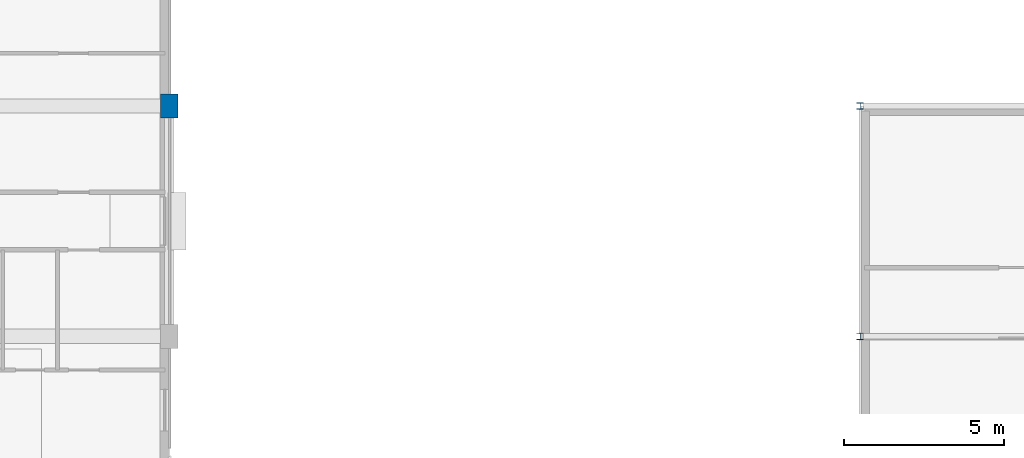
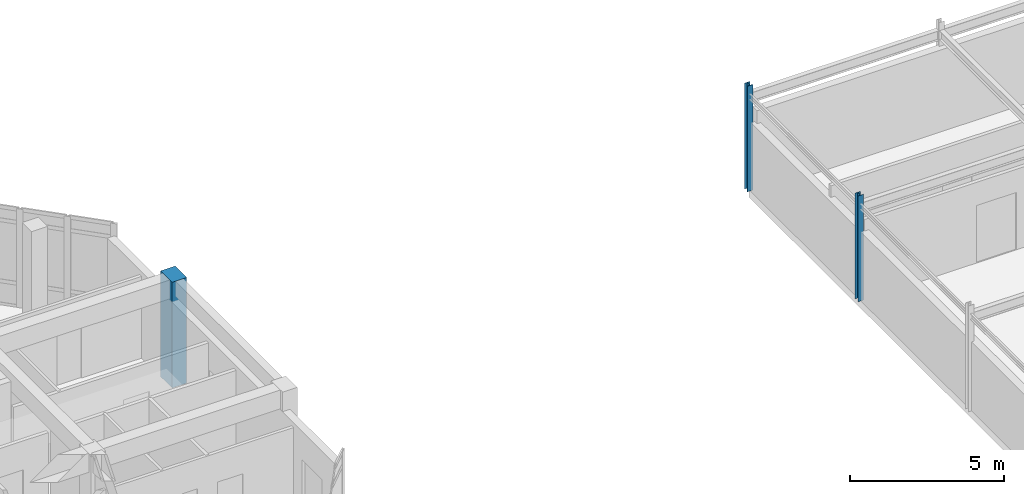
# One storey, part 3 of 85: 3 columns.
"""IFC4 building model written with IfcOpenShell, lengths in metres."""

import ifcopenshell
import ifcopenshell.guid

model = None  # the IFC model being written
_history = None  # IfcOwnerHistory: only IFC2X3 demands one
_inside = {}  # id of a spatial element -> (the spatial element, [elements in it])
_under = {}  # id of a project, library or spatial element -> (it, [spatial elements below it])
_declared = {}  # id of a project -> (the project, [libraries it declares])
_typed = {}  # id of a type object -> (the type object, [elements of that type])
_made_of = {}  # id of a material, layer set ... -> (it, [elements and type objects made of it])


def new_model(schema):
    """Start an empty IFC model of exactly this schema.

    Asked for "IFC4X3", IfcOpenShell would pick the latest addendum, in which some entities
    have other attributes; the version numbers below select the first issue.
    IFC2X3 requires an IfcOwnerHistory on every rooted entity: one is made here for all.
    """
    global model, _history
    if schema == "IFC4X3":
        model = ifcopenshell.file(schema_version=(4, 3, 0, 0))
    else:
        model = ifcopenshell.file(schema=schema)
    _inside.clear()
    _under.clear()
    _declared.clear()
    _typed.clear()
    _made_of.clear()
    _history = None
    if model.schema == "IFC2X3":
        org = make("IfcOrganization", Name="unknown")
        user = make(
            "IfcPersonAndOrganization",
            ThePerson=make("IfcPerson", FamilyName="unknown"),
            TheOrganization=org,
        )
        app = make(
            "IfcApplication",
            ApplicationDeveloper=org,
            Version="unknown",
            ApplicationFullName="unknown",
            ApplicationIdentifier="unknown",
        )
        _history = make(
            "IfcOwnerHistory",
            OwningUser=user,
            OwningApplication=app,
            ChangeAction="ADDED",
            CreationDate=0,
        )
    return model


def make(cls, **values):
    """One entity of the class cls with the attributes given. An attribute that is None is left unset."""
    return model.create_entity(
        cls, **{name: value for name, value in values.items() if value is not None}
    )


def rooted(cls, **values):
    """An entity with a GlobalId (a new one), such as an element, a storey or a relation."""
    return make(cls, GlobalId=ifcopenshell.guid.new(), OwnerHistory=_history, **values)


def si_unit(unit_type, name, prefix=None):
    """IfcSIUnit, for example si_unit("LENGTHUNIT", "METRE", prefix="MILLI")."""
    return make("IfcSIUnit", UnitType=unit_type, Prefix=prefix, Name=name)


def assignment(units):
    """IfcUnitAssignment: the units of a project."""
    return None if units is None else make("IfcUnitAssignment", Units=units)


def point(xyz):
    """IfcCartesianPoint."""
    return None if xyz is None else make("IfcCartesianPoint", Coordinates=xyz)


def direction(xyz):
    """IfcDirection."""
    return None if xyz is None else make("IfcDirection", DirectionRatios=xyz)


def frame(location, z_axis=None, x_axis=None):
    """IfcAxis2Placement3D, a coordinate frame: its origin and axes. An axis left out is left unset."""
    return make(
        "IfcAxis2Placement3D",
        Location=point(location),
        Axis=direction(z_axis),
        RefDirection=direction(x_axis),
    )


def frame_2d(location, x_axis=None):
    """IfcAxis2Placement2D, a coordinate frame in the plane: its origin and x axis."""
    return make(
        "IfcAxis2Placement2D", Location=point(location), RefDirection=direction(x_axis)
    )


def origin():
    """The frame at (0, 0, 0) with its axes left unset."""
    return frame((0.0, 0.0, 0.0))


def origin_2d():
    """The frame at (0, 0) in the plane with its x axis left unset."""
    return frame_2d((0.0, 0.0))


def place(relative_to, where):
    """IfcLocalPlacement: puts the frame where relative to a parent placement (None: the world)."""
    return make(
        "IfcLocalPlacement", PlacementRelTo=relative_to, RelativePlacement=where
    )


def context(
    kind, dimensions, precision=None, world=None, true_north=None, identifier=None
):
    """IfcGeometricRepresentationContext, for example the 3D "Model" context."""
    return make(
        "IfcGeometricRepresentationContext",
        ContextIdentifier=identifier,
        ContextType=kind,
        CoordinateSpaceDimension=dimensions,
        Precision=precision,
        WorldCoordinateSystem=world,
        TrueNorth=true_north,
    )


def subcontext(parent, identifier, kind, view, scale=None):
    """IfcGeometricRepresentationSubContext, for example "Body" below "Model"."""
    return make(
        "IfcGeometricRepresentationSubContext",
        ContextIdentifier=identifier,
        ContextType=kind,
        ParentContext=parent,
        TargetScale=scale,
        TargetView=view,
    )


def project(units=None, contexts=None):
    """IfcProject with its units and contexts."""
    return rooted(
        "IfcProject",
        Name="project",
        RepresentationContexts=contexts,
        UnitsInContext=assignment(units),
    )


def spatial(cls, under=None, at=None, **own):
    """A site, building, storey or space (cls), placed at a placement, below another one or the project."""
    s = rooted(cls, ObjectPlacement=at, **own)
    if under is not None:
        _under.setdefault(under.id(), (under, []))[1].append(s)
    return s


def profile(cls, at=None, kind="AREA", **sizes):
    """A parametric profile (cls). Its sizes go by their IFC names, for example OverallWidth=200.0."""
    return make(cls, ProfileType=kind, Position=at, **sizes)


def rectangle(**sizes):
    """IfcRectangleProfileDef."""
    return profile("IfcRectangleProfileDef", **sizes)


def i_section(**sizes):
    """IfcIShapeProfileDef."""
    return profile("IfcIShapeProfileDef", **sizes)


def extrude(swept, where, along, depth):
    """IfcExtrudedAreaSolid: the profile swept, set in the frame where, extruded along a direction by depth."""
    return make(
        "IfcExtrudedAreaSolid",
        SweptArea=swept,
        Position=where,
        ExtrudedDirection=direction(along),
        Depth=depth,
    )


def shape(context_of_items, identifier, shape_type, items):
    """IfcShapeRepresentation: the items that make up one representation, for example the "Body"."""
    return make(
        "IfcShapeRepresentation",
        ContextOfItems=context_of_items,
        RepresentationIdentifier=identifier,
        RepresentationType=shape_type,
        Items=items,
    )


def material(Name=None, Category=None):
    """IfcMaterial."""
    return make("IfcMaterial", Name=Name, Category=Category)


def material_profile(
    of_material, cross_section, Name=None, Category=None, Priority=None
):
    """IfcMaterialProfile: a cross section and its material."""
    return make(
        "IfcMaterialProfile",
        Name=Name,
        Material=of_material,
        Profile=cross_section,
        Priority=Priority,
        Category=Category,
    )


def profile_set(profiles, Name=None, composite=None):
    """IfcMaterialProfileSet."""
    return make(
        "IfcMaterialProfileSet",
        Name=Name,
        MaterialProfiles=profiles,
        CompositeProfile=composite,
    )


def made_of(thing, what):
    """Note that an element or type object is made of a material, layer set ...; save() writes the relation."""
    if what is not None:
        _made_of.setdefault(what.id(), (what, []))[1].append(thing)
    return thing


def type_object(cls, material=None, **own):
    """A type object (cls), such as IfcWallType, which elements share."""
    return made_of(rooted(cls, **own), material)


def element(
    cls,
    number,
    at=None,
    inside=None,
    cuts=None,
    type_object=None,
    material=None,
    context=None,
    identifier="Body",
    shape_type=None,
    held_by="IfcProductDefinitionShape",
    body=None,
    shapes=None,
    **own,
):
    """One element of the class cls, such as IfcWall. Its Tag is "e" and its number.

    at: its placement. inside: the storey or other place that contains it. cuts: it is an
    opening in that element (IfcRelVoidsElement). A single representation is given by context,
    identifier, shape_type and body (its items); several are given by shapes. held_by: the class
    of the entity that holds the representations. save() writes the other relations.
    """
    e = rooted(cls, Tag="e%d" % number, ObjectPlacement=at, **own)
    if body is not None:
        shapes = [shape(context, identifier, shape_type, body)]
    if shapes is not None:
        e.Representation = make(held_by, Representations=shapes)
    if inside is not None:
        _inside.setdefault(inside.id(), (inside, []))[1].append(e)
    if cuts is not None:
        rooted(
            "IfcRelVoidsElement", RelatingBuildingElement=cuts, RelatedOpeningElement=e
        )
    if type_object is not None:
        _typed.setdefault(type_object.id(), (type_object, []))[1].append(e)
    return made_of(e, material)


def aggregate(whole, parts):
    """IfcRelAggregates: a whole, such as a stair, and the parts it consists of."""
    return rooted("IfcRelAggregates", RelatingObject=whole, RelatedObjects=parts)


def save(model, path):
    """Write the relations noted so far, then the file.

    IfcRelAggregates (storeys below a building ...), IfcRelContainedInSpatialStructure (elements
    in a storey), IfcRelDefinesByType, IfcRelAssociatesMaterial and IfcRelDeclares: one each for
    every whole, place, type object, material and project.
    """
    for whole, parts in _under.values():
        aggregate(whole, parts)
    for where, things in _inside.values():
        rooted(
            "IfcRelContainedInSpatialStructure",
            RelatedElements=things,
            RelatingStructure=where,
        )
    for kind, things in _typed.values():
        rooted("IfcRelDefinesByType", RelatedObjects=things, RelatingType=kind)
    for what, things in _made_of.values():
        rooted("IfcRelAssociatesMaterial", RelatedObjects=things, RelatingMaterial=what)
    for by, libraries in _declared.values():
        rooted("IfcRelDeclares", RelatingContext=by, RelatedDefinitions=libraries)
    model.write(path)


model = new_model("IFC4")

# Units and contexts
model_context = context("Model", 3, precision=1e-05, world=origin(), true_north=direction((0.0, 1.0)))
body_context = subcontext(model_context, "Body", "Model", "MODEL_VIEW")
ifc_project = project(units=[si_unit("LENGTHUNIT", "METRE"), si_unit("AREAUNIT", "SQUARE_METRE"), si_unit("VOLUMEUNIT", "CUBIC_METRE"), si_unit("PLANEANGLEUNIT", "RADIAN"), si_unit("MASSUNIT", "GRAM", prefix="KILO")], contexts=[model_context])

# Site, building, storey
site_placement = place(None, origin())
site = spatial("IfcSite", under=ifc_project, at=site_placement, CompositionType="ELEMENT")
building_placement = place(site_placement, origin())
building = spatial("IfcBuilding", under=site, at=building_placement, Name="Ochrevale Crest", CompositionType="ELEMENT")
storey_placement = place(building_placement, frame((0.0, 0.0, 4.5)))
storey = spatial("IfcBuildingStorey", under=building, at=storey_placement, Name="L01", CompositionType="ELEMENT", Elevation=4.5)

# Columns
ifc_material_1 = material(Name="Precast concrete C50/60", Category="concrete")
ifc_material_profile_1 = material_profile(ifc_material_1, rectangle(XDim=0.550048828125, YDim=0.75, at=origin_2d()), Name="RC 550x750")
ifc_profile_set_1 = profile_set([ifc_material_profile_1], Name="Precast concrete C50/60")
column_type_1 = type_object("IfcColumnType", Name="COL-RC550x750", PredefinedType="COLUMN", material=ifc_profile_set_1)
column_placement = place(storey_placement, frame((36.0, 28.800048828125, 0.0), z_axis=(0.0, 0.0, 1.0), x_axis=(1.0, 0.0, 0.0)))
element("IfcColumn", 1, at=column_placement, inside=storey, type_object=column_type_1, Name="Block A L01 column (36.0,28.8)", PredefinedType="COLUMN", context=body_context, shape_type="SweptSolid", body=[
    extrude(rectangle(XDim=0.550048828125, YDim=0.75, at=origin_2d()), origin(), (0.0, 0.0, 1.0), 4.199951171875),
])
ifc_material_2 = material(Name="Steel S355", Category="steel")
ifc_material_profile_2 = material_profile(ifc_material_2, i_section(OverallWidth=0.203125, OverallDepth=0.203369140625, WebThickness=0.00732421875, FlangeThickness=0.010986328125, FilletRadius=0.01025390625, at=origin_2d()), Name="200UC46.2")
ifc_profile_set_2 = profile_set([ifc_material_profile_2], Name="Steel S355")
column_type_2 = type_object("IfcColumnType", Name="COL-UC200A", PredefinedType="COLUMN", material=ifc_profile_set_2)
for number, where, z_axis, x_axis, name in (
    (2, (57.60009765625, 21.60009765625, 0.0), (0.0, 0.0, 1.0), (1.0, 0.0, 0.0), "Retail arcade L01 column (57.6,21.6)"),
    (3, (57.60009765625, 28.800048828125, 0.0), (0.0, 0.0, 1.0), (1.0, 0.0, 0.0), "Retail arcade L01 column (57.6,28.8)"),
):
    element("IfcColumn", number, at=place(storey_placement, frame(where, z_axis=z_axis, x_axis=x_axis)), inside=storey, type_object=column_type_2, Name=name, PredefinedType="COLUMN", context=body_context, shape_type="SweptSolid", body=[
        extrude(i_section(OverallWidth=0.203125, OverallDepth=0.203369140625, WebThickness=0.00732421875, FlangeThickness=0.010986328125, FilletRadius=0.01025390625, at=origin_2d()), origin(), (0.0, 0.0, 1.0), 4.199951171875),
    ])

save(model, "model.ifc")
